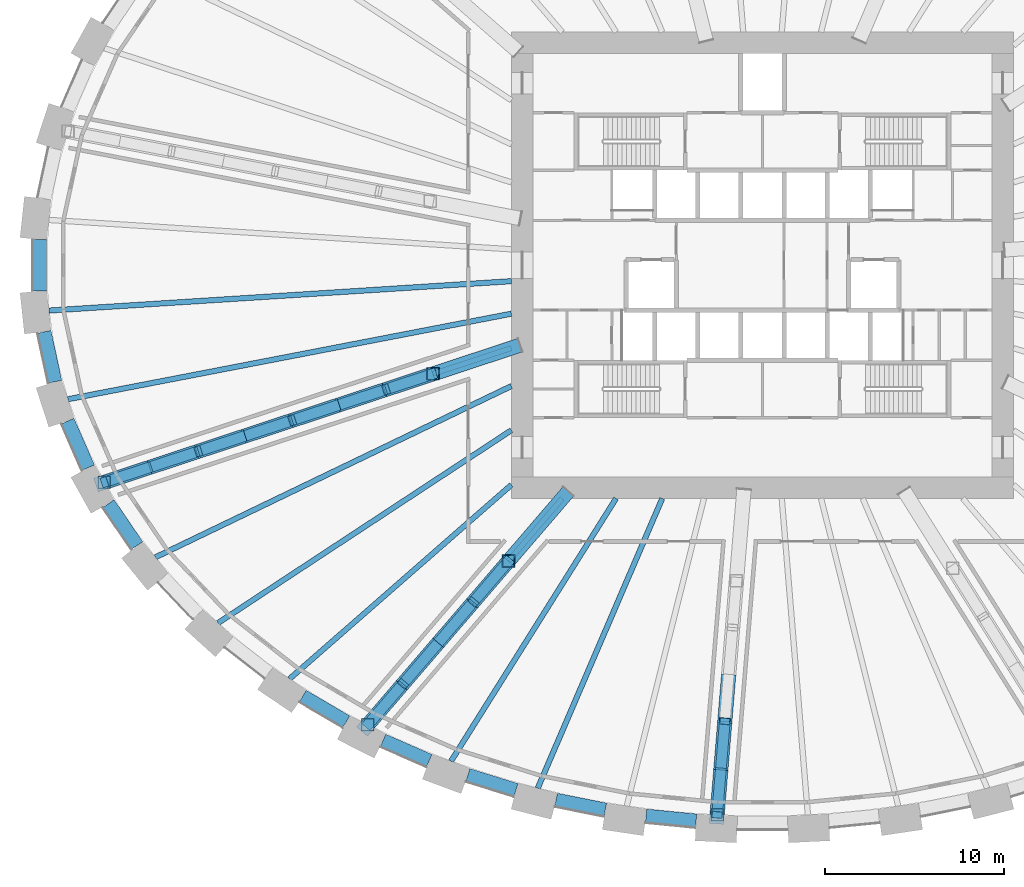
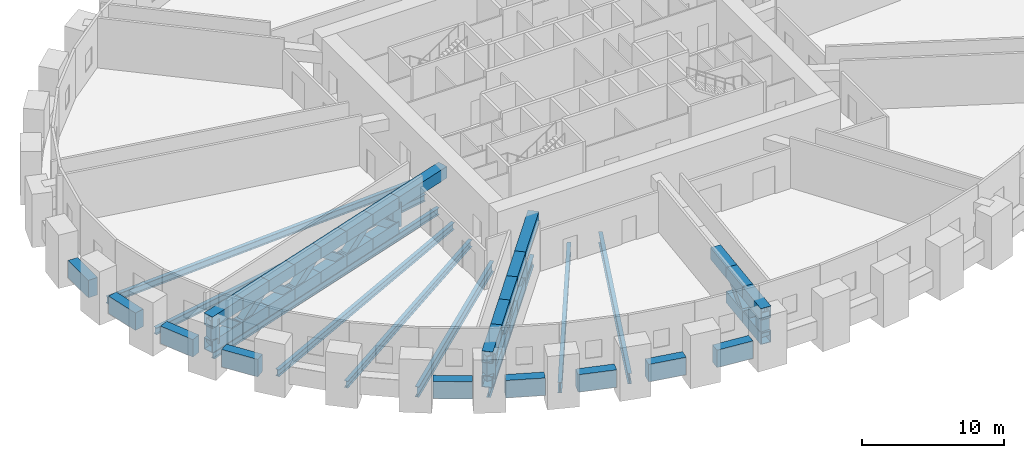
# One storey, part 2 of 14: 47 members, 18 beams.
"""IFC4 building model written with IfcOpenShell, lengths in metres."""

from ifc_helpers import new_model, si_unit, direction, frame, origin, origin_2d, place, context, subcontext, project, spatial, rectangle, hollow_rectangle, i_section, extrude, source, transform, mapped, material, material_profile, profile_set, type_object, element, save


model = new_model("IFC4")

# Units and contexts
model_context = context("Model", 3, precision=1e-05, world=origin(), true_north=direction((0.0, 1.0)))
body_context = subcontext(model_context, "Body", "Model", "MODEL_VIEW")
ifc_project = project(units=[si_unit("LENGTHUNIT", "METRE"), si_unit("AREAUNIT", "SQUARE_METRE"), si_unit("VOLUMEUNIT", "CUBIC_METRE"), si_unit("PLANEANGLEUNIT", "RADIAN"), si_unit("MASSUNIT", "GRAM", prefix="KILO")], contexts=[model_context])

# Site, building, storey
site_placement = place(None, origin())
site = spatial("IfcSite", under=ifc_project, at=site_placement, CompositionType="ELEMENT")
building_placement = place(site_placement, origin())
building = spatial("IfcBuilding", under=site, at=building_placement, Name="Embergate Tower", CompositionType="ELEMENT")
storey_placement = place(building_placement, frame((0.0, 0.0, 101.0)))
storey = spatial("IfcBuildingStorey", under=building, at=storey_placement, Name="L21", CompositionType="ELEMENT", Elevation=101.0)

# Beams
ifc_material_1 = material(Name="Concrete C70", Category="concrete")
ifc_material_profile_1 = material_profile(ifc_material_1, rectangle(XDim=0.75, YDim=1.5, at=origin_2d()), Name="RC 750x1500")
ifc_profile_set_1 = profile_set([ifc_material_profile_1], Name="Concrete C70")
beam_type_1 = type_object("IfcBeamType", Name="Spandrel beam RC 750x1500 C70", PredefinedType="BEAM", material=ifc_profile_set_1)
shared_shape_1 = source(origin(), body_context, "Body", "SweptSolid", [
    extrude(rectangle(XDim=0.75, YDim=1.5, at=origin_2d()), origin(), (0.0, 0.0, 1.0), 2.845703125),
])
beam_1_placement = place(storey_placement, frame((-40.032958984375, -3.7109375, 0.0), z_axis=(0.210448858384, -0.977604868035, 0.0), x_axis=(0.977604868035, 0.210448858384, 0.0)))
element("IfcBeam", 1, at=beam_1_placement, inside=storey, type_object=beam_type_1, Name="SPN-L21-22", PredefinedType="BEAM", context=body_context, shape_type="MappedRepresentation", body=[
    mapped(shared_shape_1, transform((0.0, 0.0, 0.0))),
])
shared_shape_2 = source(origin(), body_context, "Body", "SweptSolid", [
    extrude(rectangle(XDim=0.75, YDim=1.5, at=origin_2d()), origin(), (0.0, 0.0, 1.0), 2.84130859375),
])
beam_2_placement = place(storey_placement, frame((-38.72705078125, -8.680908203125, 0.0), z_axis=(0.401621037759, -0.915805952169, 0.0), x_axis=(0.915805952169, 0.401621037759, 0.0)))
element("IfcBeam", 2, at=beam_2_placement, inside=storey, type_object=beam_type_1, Name="SPN-L21-23", PredefinedType="BEAM", context=body_context, shape_type="MappedRepresentation", body=[
    mapped(shared_shape_2, transform((0.0, 0.0, 0.0))),
])
shared_shape_3 = source(origin(), body_context, "Body", "SweptSolid", [
    extrude(rectangle(XDim=0.75, YDim=1.5, at=origin_2d()), origin(), (0.0, 0.0, 1.0), 2.83203125),
])
beam_3_placement = place(storey_placement, frame((-36.455078125, -13.285888671875, 0.0), z_axis=(0.56217796331, -0.827016286157, 0.0), x_axis=(0.827016286157, 0.56217796331, 0.0)))
element("IfcBeam", 3, at=beam_3_placement, inside=storey, type_object=beam_type_1, Name="SPN-L21-24", PredefinedType="BEAM", context=body_context, shape_type="MappedRepresentation", body=[
    mapped(shared_shape_3, transform((0.0, 0.0, 0.0))),
])
shared_shape_4 = source(origin(), body_context, "Body", "SweptSolid", [
    extrude(rectangle(XDim=0.75, YDim=1.5, at=origin_2d()), origin(), (0.0, 0.0, 1.0), 2.813232421875),
])
beam_4_placement = place(storey_placement, frame((-25.6259765625, -24.01708984375, 0.0), z_axis=(0.862007825953, -0.506894967421, 0.0), x_axis=(0.506894967421, 0.862007825953, 0.0)))
element("IfcBeam", 4, at=beam_4_placement, inside=storey, type_object=beam_type_1, Name="SPN-L21-27", PredefinedType="BEAM", context=body_context, shape_type="MappedRepresentation", body=[
    mapped(shared_shape_4, transform((0.0, 0.0, 0.0))),
])
shared_shape_5 = source(origin(), body_context, "Body", "SweptSolid", [
    extrude(rectangle(XDim=0.75, YDim=1.5, at=origin_2d()), origin(), (0.0, 0.0, 1.0), 2.81005859375),
])
beam_5_placement = place(storey_placement, frame((-21.152099609375, -26.488037109375, 0.0), z_axis=(0.916061598474, -0.401037589013, 0.0), x_axis=(0.401037589013, 0.916061598474, 0.0)))
element("IfcBeam", 5, at=beam_5_placement, inside=storey, type_object=beam_type_1, Name="SPN-L21-28", PredefinedType="BEAM", context=body_context, shape_type="MappedRepresentation", body=[
    mapped(shared_shape_5, transform((0.0, 0.0, 0.0))),
])
shared_shape_6 = source(origin(), body_context, "Body", "SweptSolid", [
    extrude(rectangle(XDim=0.75, YDim=1.5, at=origin_2d()), origin(), (0.0, 0.0, 1.0), 2.806884765625),
])
beam_6_placement = place(storey_placement, frame((-16.423095703125, -28.41796875, 0.0), z_axis=(0.954841423743, -0.297115895746, 0.0), x_axis=(0.297115895746, 0.954841423743, 0.0)))
element("IfcBeam", 6, at=beam_6_placement, inside=storey, type_object=beam_type_1, Name="SPN-L21-29", PredefinedType="BEAM", context=body_context, shape_type="MappedRepresentation", body=[
    mapped(shared_shape_6, transform((0.0, 0.0, 0.0))),
])
shared_shape_7 = source(origin(), body_context, "Body", "SweptSolid", [
    extrude(rectangle(XDim=0.75, YDim=1.5, at=origin_2d()), origin(), (0.0, 0.0, 1.0), 2.802734375),
])
beam_7_placement = place(storey_placement, frame((-11.510009765625, -29.802001953125, 0.0), z_axis=(0.980483396855, -0.19660190358, 0.0), x_axis=(0.19660190358, 0.980483396855, 0.0)))
element("IfcBeam", 7, at=beam_7_placement, inside=storey, type_object=beam_type_1, Name="SPN-L21-30", PredefinedType="BEAM", context=body_context, shape_type="MappedRepresentation", body=[
    mapped(shared_shape_7, transform((0.0, 0.0, 0.0))),
])
shared_shape_8 = source(origin(), body_context, "Body", "SweptSolid", [
    extrude(rectangle(XDim=0.75, YDim=1.5, at=origin_2d()), origin(), (0.0, 0.0, 1.0), 2.801513671875),
])
beam_8_placement = place(storey_placement, frame((-6.487060546875, -30.69189453125, 0.0), z_axis=(0.995199776521, -0.097864216203, 0.0), x_axis=(0.097864216203, 0.995199776521, 0.0)))
element("IfcBeam", 8, at=beam_8_placement, inside=storey, type_object=beam_type_1, Name="SPN-L21-31", PredefinedType="BEAM", context=body_context, shape_type="MappedRepresentation", body=[
    mapped(shared_shape_8, transform((0.0, 0.0, 0.0))),
])
shared_shape_9 = source(origin(), body_context, "Body", "SweptSolid", [
    extrude(rectangle(XDim=0.75, YDim=1.5, at=origin_2d()), origin(), (0.0, 0.0, 1.0), 2.85205078125),
])
beam_9_placement = place(storey_placement, frame((-40.2958984375, 1.426025390625, 0.0), z_axis=(0.0, -1.0, 0.0), x_axis=(1.0, 0.0, 0.0)))
element("IfcBeam", 9, at=beam_9_placement, inside=storey, type_object=beam_type_1, Name="SPN-L21-21", PredefinedType="BEAM", context=body_context, shape_type="MappedRepresentation", body=[
    mapped(shared_shape_9, transform((0.0, 0.0, 0.0))),
])
ifc_material_2 = material(Name="Steel Q355B", Category="steel")
ifc_material_profile_2 = material_profile(ifc_material_2, i_section(OverallWidth=0.300048828125, OverallDepth=0.587890625, WebThickness=0.011962890625, FlangeThickness=0.02001953125, FilletRadius=0.012939453125, at=origin_2d()), Name="HM 588x300x12x20")
ifc_profile_set_2 = profile_set([ifc_material_profile_2], Name="Steel Q355 grade B")
beam_type_2 = type_object("IfcBeamType", Name="Plant girder HM 588x300x12x20", PredefinedType="BEAM", material=ifc_profile_set_2)
shared_shape_10 = source(origin(), body_context, "Body", "SweptSolid", [
    extrude(i_section(OverallWidth=0.300048828125, OverallDepth=0.587890625, WebThickness=0.011962890625, FlangeThickness=0.02001953125, FilletRadius=0.012939453125, at=origin_2d()), origin(), (0.0, 0.0, 1.0), 25.8330078125),
])
beam_10_placement = place(storey_placement, frame((-39.781005859375, -2.527099609375, -0.593994140625), z_axis=(0.997987282957, 0.063414375786, 0.0), x_axis=(-0.063414375786, 0.997987282957, 0.0)))
element("IfcBeam", 10, at=beam_10_placement, inside=storey, type_object=beam_type_2, Name="GIR-L21-22", PredefinedType="BEAM", context=body_context, shape_type="MappedRepresentation", body=[
    mapped(shared_shape_10, transform((0.0, 0.0, 0.0))),
])
shared_shape_11 = source(origin(), body_context, "Body", "SweptSolid", [
    extrude(i_section(OverallWidth=0.300048828125, OverallDepth=0.587890625, WebThickness=0.011962890625, FlangeThickness=0.02001953125, FilletRadius=0.012939453125, at=origin_2d()), origin(), (0.0, 0.0, 1.0), 25.173583984375),
])
beam_11_placement = place(storey_placement, frame((-38.718017578125, -7.468994140625, -0.593994140625), z_axis=(0.981898721565, 0.189406706822, 0.0), x_axis=(-0.189406706822, 0.981898721565, 0.0)))
element("IfcBeam", 11, at=beam_11_placement, inside=storey, type_object=beam_type_2, Name="GIR-L21-23", PredefinedType="BEAM", context=body_context, shape_type="MappedRepresentation", body=[
    mapped(shared_shape_11, transform((0.0, 0.0, 0.0))),
])
shared_shape_12 = source(origin(), body_context, "Body", "SweptSolid", [
    extrude(i_section(OverallWidth=0.300048828125, OverallDepth=0.587890625, WebThickness=0.011962890625, FlangeThickness=0.02001953125, FilletRadius=0.012939453125, at=origin_2d()), origin(), (0.0, 0.0, 1.0), 23.889892578125),
])
beam_12_placement = place(storey_placement, frame((-36.68798828125, -12.09912109375, -0.593994140625), z_axis=(0.949689151569, 0.313194053891, 0.0), x_axis=(-0.313194053891, 0.949689151569, 0.0)))
element("IfcBeam", 12, at=beam_12_placement, inside=storey, type_object=beam_type_2, Name="GIR-L21-24", PredefinedType="BEAM", context=body_context, shape_type="MappedRepresentation", body=[
    mapped(shared_shape_12, transform((0.0, 0.0, 0.0))),
])
shared_shape_13 = source(origin(), body_context, "Body", "SweptSolid", [
    extrude(i_section(OverallWidth=0.300048828125, OverallDepth=0.587890625, WebThickness=0.011962890625, FlangeThickness=0.02001953125, FilletRadius=0.012939453125, at=origin_2d()), origin(), (0.0, 0.0, 1.0), 22.02099609375),
])
beam_13_placement = place(storey_placement, frame((-33.843994140625, -16.281982421875, -0.593994140625), z_axis=(0.90113724632, 0.433533924042, 0.0), x_axis=(-0.433533924042, 0.90113724632, 0.0)))
element("IfcBeam", 13, at=beam_13_placement, inside=storey, type_object=beam_type_2, Name="GIR-L21-25", PredefinedType="BEAM", context=body_context, shape_type="MappedRepresentation", body=[
    mapped(shared_shape_13, transform((0.0, 0.0, 0.0))),
])
shared_shape_14 = source(origin(), body_context, "Body", "SweptSolid", [
    extrude(i_section(OverallWidth=0.300048828125, OverallDepth=0.587890625, WebThickness=0.011962890625, FlangeThickness=0.02001953125, FilletRadius=0.012939453125, at=origin_2d()), origin(), (0.0, 0.0, 1.0), 19.56591796875),
])
beam_14_placement = place(storey_placement, frame((-30.35205078125, -19.943115234375, -0.593994140625), z_axis=(0.835740492774, 0.549124602197, 0.0), x_axis=(-0.549124602197, 0.835740492774, 0.0)))
element("IfcBeam", 14, at=beam_14_placement, inside=storey, type_object=beam_type_2, Name="GIR-L21-26", PredefinedType="BEAM", context=body_context, shape_type="MappedRepresentation", body=[
    mapped(shared_shape_14, transform((0.0, 0.0, 0.0))),
])
ifc_material_profile_3 = material_profile(ifc_material_2, i_section(OverallWidth=0.300048828125, OverallDepth=0.89990234375, WebThickness=0.01611328125, FlangeThickness=0.028076171875, FilletRadius=0.028076171875, at=origin_2d()), Name="HN 900x300x16x28")
ifc_profile_set_3 = profile_set([ifc_material_profile_3], Name="Steel Q355 grade B")
beam_type_3 = type_object("IfcBeamType", Name="Plant girder HN 900x300x16x28", PredefinedType="BEAM", material=ifc_profile_set_3)
shared_shape_15 = source(origin(), body_context, "Body", "SweptSolid", [
    extrude(i_section(OverallWidth=0.300048828125, OverallDepth=0.89990234375, WebThickness=0.01611328125, FlangeThickness=0.028076171875, FilletRadius=0.028076171875, at=origin_2d()), origin(), (0.0, 0.0, 1.0), 16.42529296875),
])
beam_15_placement = place(storey_placement, frame((-26.364013671875, -23.055908203125, -0.75), z_axis=(0.752743328411, 0.658314120714, 0.0), x_axis=(-0.658314120714, 0.752743328411, 0.0)))
element("IfcBeam", 15, at=beam_15_placement, inside=storey, type_object=beam_type_3, Name="GIR-L21-27", PredefinedType="BEAM", context=body_context, shape_type="MappedRepresentation", body=[
    mapped(shared_shape_15, transform((0.0, 0.0, 0.0))),
])
shared_shape_16 = source(origin(), body_context, "Body", "SweptSolid", [
    extrude(i_section(OverallWidth=0.300048828125, OverallDepth=0.89990234375, WebThickness=0.01611328125, FlangeThickness=0.028076171875, FilletRadius=0.028076171875, at=origin_2d()), origin(), (0.0, 0.0, 1.0), 16.634521484375),
])
beam_16_placement = place(storey_placement, frame((-22.0009765625, -25.6201171875, -0.75), z_axis=(0.6514728043, 0.758671987922, 0.0), x_axis=(-0.758671987922, 0.6514728043, 0.0)))
element("IfcBeam", 16, at=beam_16_placement, inside=storey, type_object=beam_type_3, Name="GIR-L21-28", PredefinedType="BEAM", context=body_context, shape_type="MappedRepresentation", body=[
    mapped(shared_shape_16, transform((0.0, 0.0, 0.0))),
])
shared_shape_17 = source(origin(), body_context, "Body", "SweptSolid", [
    extrude(i_section(OverallWidth=0.300048828125, OverallDepth=0.89990234375, WebThickness=0.01611328125, FlangeThickness=0.028076171875, FilletRadius=0.028076171875, at=origin_2d()), origin(), (0.0, 0.0, 1.0), 17.29833984375),
])
beam_17_placement = place(storey_placement, frame((-17.364013671875, -27.64892578125, -0.75), z_axis=(0.53184228431, 0.84684342391, 0.0), x_axis=(-0.84684342391, 0.53184228431, 0.0)))
element("IfcBeam", 17, at=beam_17_placement, inside=storey, type_object=beam_type_3, Name="GIR-L21-29", PredefinedType="BEAM", context=body_context, shape_type="MappedRepresentation", body=[
    mapped(shared_shape_17, transform((0.0, 0.0, 0.0))),
])
shared_shape_18 = source(origin(), body_context, "Body", "SweptSolid", [
    extrude(i_section(OverallWidth=0.300048828125, OverallDepth=0.89990234375, WebThickness=0.01611328125, FlangeThickness=0.028076171875, FilletRadius=0.028076171875, at=origin_2d()), origin(), (0.0, 0.0, 1.0), 17.58203125),
])
beam_18_placement = place(storey_placement, frame((-12.531005859375, -29.153076171875, -0.75), z_axis=(0.394897783559, 0.918725062541, 0.0), x_axis=(-0.918725062541, 0.394897783559, 0.0)))
element("IfcBeam", 18, at=beam_18_placement, inside=storey, type_object=beam_type_3, Name="GIR-L21-30", PredefinedType="BEAM", context=body_context, shape_type="MappedRepresentation", body=[
    mapped(shared_shape_18, transform((0.0, 0.0, 0.0))),
])

# Members
ifc_material_profile_4 = material_profile(ifc_material_2, hollow_rectangle(XDim=0.699951171875, YDim=0.699951171875, WallThickness=0.031982421875, at=origin_2d()), Name="BOX 700x700x32")
ifc_profile_set_4 = profile_set([ifc_material_profile_4], Name="Steel Q355 grade B")
member_type_1 = type_object("IfcMemberType", Name="Outrigger post BOX 700x700x32", PredefinedType="POST", material=ifc_profile_set_4)
shared_shape_19 = source(origin(), body_context, "Body", "SweptSolid", [
    extrude(hollow_rectangle(XDim=0.699951171875, YDim=0.699951171875, WallThickness=0.031982421875, at=origin_2d()), origin(), (0.0, 0.0, 1.0), 2.110107421875),
])
for number, where, z_axis, x_axis, name in (
    (19, (-18.368896484375, -6.05810546875, 0.5), (0.0, 0.0, 1.0), (1.0, 0.0, 0.0), "OUT-L21-24-PO00"),
    (20, (-36.68798828125, -12.09912109375, 0.5), (0.0, 0.0, 1.0), (1.0, 0.0, 0.0), "OUT-L21-24-PO07"),
    (21, (-14.159912109375, -16.489990234375, 0.5), (0.0, 0.0, 1.0), (1.0, 0.0, 0.0), "OUT-L21-28-PO00"),
    (22, (-22.0009765625, -25.62109375, 0.5), (0.0, 0.0, 1.0), (1.0, 0.0, 0.0), "OUT-L21-28-PO04"),
    (23, (-2.531005859375, -30.64404296875, 0.5), (0.0, 0.0, 1.0), (1.0, 0.0, 0.0), "OUT-L21-32-PO05"),
):
    element("IfcMember", number, at=place(storey_placement, frame(where, z_axis=z_axis, x_axis=x_axis)), inside=storey, type_object=member_type_1, Name=name, PredefinedType="POST", context=body_context, shape_type="MappedRepresentation", body=[
        mapped(shared_shape_19, transform((0.0, 0.0, 0.0))),
    ])
ifc_material_profile_5 = material_profile(ifc_material_2, hollow_rectangle(XDim=0.800048828125, YDim=1.0, WallThickness=0.044921875, at=origin_2d()), Name="BOX 1000x800x45")
ifc_profile_set_5 = profile_set([ifc_material_profile_5], Name="Steel Q355 grade B")
member_type_2 = type_object("IfcMemberType", Name="Outrigger chord BOX 1000x800x45", PredefinedType="CHORD", material=ifc_profile_set_5)
shared_shape_20 = source(origin(), body_context, "Body", "SweptSolid", [
    extrude(hollow_rectangle(XDim=0.800048828125, YDim=1.0, WallThickness=0.044921875, at=origin_2d()), origin(), (0.0, 0.0, 1.0), 5.2001953125),
])
member_1_placement = place(storey_placement, frame((-10.8369140625, -12.62109375, 2.610107421875), z_axis=(-0.651556585598, -0.758600036755, 0.0), x_axis=(0.758600036755, -0.651556585598, 0.0)))
element("IfcMember", 24, at=member_1_placement, inside=storey, type_object=member_type_2, Name="OUT-L21-28-TC00", PredefinedType="CHORD", context=body_context, shape_type="MappedRepresentation", body=[
    mapped(shared_shape_20, transform((0.0, 0.0, 0.0))),
])
shared_shape_21 = source(origin(), body_context, "Body", "SweptSolid", [
    extrude(hollow_rectangle(XDim=0.800048828125, YDim=1.0, WallThickness=0.044921875, at=origin_2d()), origin(), (0.0, 0.0, 1.0), 5.200927734375),
])
member_2_placement = place(storey_placement, frame((-13.52490234375, -4.4599609375, 2.610107421875), z_axis=(-0.949673760514, -0.313240719881, 0.0), x_axis=(0.313240719881, -0.949673760514, 0.0)))
element("IfcMember", 25, at=member_2_placement, inside=storey, type_object=member_type_2, Name="OUT-L21-24-TC00", PredefinedType="CHORD", context=body_context, shape_type="MappedRepresentation", body=[
    mapped(shared_shape_21, transform((0.0, 0.0, 0.0))),
])
shared_shape_22 = source(origin(), body_context, "Body", "SweptSolid", [
    extrude(hollow_rectangle(XDim=0.800048828125, YDim=1.0, WallThickness=0.044921875, at=origin_2d()), origin(), (0.0, 0.0, 1.0), 2.855712890625),
])
for number, where, z_axis, x_axis, name in (
    (26, (-18.368896484375, -6.05810546875, 2.610107421875), (-0.949755020556, -0.312994250631, 0.0), (0.312994250631, -0.949755020556, 0.0), "OUT-L21-24-TC01"),
    (27, (-28.8369140625, -9.510009765625, 2.610107421875), (-0.949729603429, -0.313071366258, 0.0), (0.313071366258, -0.949729603429, 0.0), "OUT-L21-24-TC05"),
    (28, (-18.368896484375, -6.05810546875, 0.5), (-0.949755020556, -0.312994250631, 0.0), (0.312994250631, -0.949755020556, 0.0), "OUT-L21-24-BC00"),
    (29, (-28.8369140625, -9.510009765625, 0.5), (-0.949729603429, -0.313071366258, 0.0), (0.313071366258, -0.949729603429, 0.0), "OUT-L21-24-BC04"),
):
    element("IfcMember", number, at=place(storey_placement, frame(where, z_axis=z_axis, x_axis=x_axis)), inside=storey, type_object=member_type_2, Name=name, PredefinedType="CHORD", context=body_context, shape_type="MappedRepresentation", body=[
        mapped(shared_shape_22, transform((0.0, 0.0, 0.0))),
    ])
shared_shape_23 = source(origin(), body_context, "Body", "SweptSolid", [
    extrude(hollow_rectangle(XDim=0.800048828125, YDim=1.0, WallThickness=0.044921875, at=origin_2d()), origin(), (0.0, 0.0, 1.0), 2.85546875),
])
for number, where, z_axis, x_axis, name in (
    (30, (-20.986083984375, -6.9208984375, 2.610107421875), (-0.949721223032, -0.313096787787, 0.0), (0.313096787787, -0.949721223032, 0.0), "OUT-L21-24-TC02"),
    (31, (-23.60302734375, -7.783935546875, 2.610107421875), (-0.949721223032, -0.313096787787, 0.0), (0.313096787787, -0.949721223032, 0.0), "OUT-L21-24-TC03"),
    (32, (-26.219970703125, -8.64697265625, 2.610107421875), (-0.949721223032, -0.313096787787, 0.0), (0.313096787787, -0.949721223032, 0.0), "OUT-L21-24-TC04"),
    (33, (-31.4541015625, -10.373046875, 2.610107421875), (-0.949721223032, -0.313096787787, 0.0), (0.313096787787, -0.949721223032, 0.0), "OUT-L21-24-TC06"),
    (34, (-20.986083984375, -6.9208984375, 0.5), (-0.949721223032, -0.313096787787, 0.0), (0.313096787787, -0.949721223032, 0.0), "OUT-L21-24-BC01"),
    (35, (-23.60302734375, -7.783935546875, 0.5), (-0.949721223032, -0.313096787787, 0.0), (0.313096787787, -0.949721223032, 0.0), "OUT-L21-24-BC02"),
    (36, (-26.219970703125, -8.64697265625, 0.5), (-0.949721223032, -0.313096787787, 0.0), (0.313096787787, -0.949721223032, 0.0), "OUT-L21-24-BC03"),
    (37, (-31.4541015625, -10.373046875, 0.5), (-0.949721223032, -0.313096787787, 0.0), (0.313096787787, -0.949721223032, 0.0), "OUT-L21-24-BC05"),
):
    element("IfcMember", number, at=place(storey_placement, frame(where, z_axis=z_axis, x_axis=x_axis)), inside=storey, type_object=member_type_2, Name=name, PredefinedType="CHORD", context=body_context, shape_type="MappedRepresentation", body=[
        mapped(shared_shape_23, transform((0.0, 0.0, 0.0))),
    ])
shared_shape_24 = source(origin(), body_context, "Body", "SweptSolid", [
    extrude(hollow_rectangle(XDim=0.800048828125, YDim=1.0, WallThickness=0.044921875, at=origin_2d()), origin(), (0.0, 0.0, 1.0), 3.255859375),
])
for number, where, z_axis, x_axis, name in (
    (38, (-34.071044921875, -11.236083984375, 2.610107421875), (-0.949660999903, -0.313279404468, 0.0), (0.313279404468, -0.949660999903, 0.0), "OUT-L21-24-TC07"),
    (39, (-34.071044921875, -11.236083984375, 0.5), (-0.949660999903, -0.313279404468, 0.0), (0.313279404468, -0.949660999903, 0.0), "OUT-L21-24-BC06"),
):
    element("IfcMember", number, at=place(storey_placement, frame(where, z_axis=z_axis, x_axis=x_axis)), inside=storey, type_object=member_type_2, Name=name, PredefinedType="CHORD", context=body_context, shape_type="MappedRepresentation", body=[
        mapped(shared_shape_24, transform((0.0, 0.0, 0.0))),
    ])
ifc_material_profile_6 = material_profile(ifc_material_2, hollow_rectangle(XDim=0.60009765625, YDim=0.60009765625, WallThickness=0.028076171875, at=origin_2d()), Name="BOX 600x600x28")
ifc_profile_set_6 = profile_set([ifc_material_profile_6], Name="Steel Q355 grade B")
member_type_3 = type_object("IfcMemberType", Name="Outrigger diagonal BOX 600x600x28", PredefinedType="BRACE", material=ifc_profile_set_6)
shared_shape_25 = source(origin(), body_context, "Body", "SweptSolid", [
    extrude(hollow_rectangle(XDim=0.60009765625, YDim=0.60009765625, WallThickness=0.028076171875, at=origin_2d()), origin(), (0.0, 0.0, 1.0), 3.470947265625),
])
for number, where, z_axis, x_axis, name in (
    (40, (-18.368896484375, -6.05810546875, 0.5), (-0.754053141028, -0.248584309738, 0.607955344954), (0.313089824173, -0.949723518714, 0.0), "OUT-L21-24-DG00"),
    (41, (-28.8369140625, -9.510009765625, 0.5), (-0.754039954426, -0.248650302136, 0.607944713256), (0.31316973005, -0.949697172882, 0.0), "OUT-L21-24-DG04"),
):
    element("IfcMember", number, at=place(storey_placement, frame(where, z_axis=z_axis, x_axis=x_axis)), inside=storey, type_object=member_type_3, Name=name, PredefinedType="BRACE", context=body_context, shape_type="MappedRepresentation", body=[
        mapped(shared_shape_25, transform((0.0, 0.0, 0.0))),
    ])
shared_shape_26 = source(origin(), body_context, "Body", "SweptSolid", [
    extrude(hollow_rectangle(XDim=0.60009765625, YDim=0.60009765625, WallThickness=0.028076171875, at=origin_2d()), origin(), (0.0, 0.0, 1.0), 3.470703125),
])
for number, where, z_axis, x_axis, name in (
    (42, (-20.986083984375, -6.9208984375, 2.610107421875), (-0.754009605861, -0.248663490691, -0.607976958994), (0.313196080609, -0.949688483183, 0.0), "OUT-L21-24-DG01"),
    (43, (-23.60302734375, -7.783935546875, 0.5), (-0.754009605861, -0.248663490691, 0.607976958994), (0.313196080609, -0.949688483183, 0.0), "OUT-L21-24-DG02"),
    (44, (-26.219970703125, -8.64697265625, 2.610107421875), (-0.754009605861, -0.248663490691, -0.607976958994), (0.313196080609, -0.949688483183, 0.0), "OUT-L21-24-DG03"),
    (45, (-31.4541015625, -10.373046875, 2.610107421875), (-0.754009605861, -0.248663490691, -0.607976958994), (0.313196080609, -0.949688483183, 0.0), "OUT-L21-24-DG05"),
    (46, (-34.071044921875, -11.236083984375, 0.5), (-0.754009605861, -0.248663490691, 0.607976958994), (0.313196080609, -0.949688483183, 0.0), "OUT-L21-24-DG06"),
):
    element("IfcMember", number, at=place(storey_placement, frame(where, z_axis=z_axis, x_axis=x_axis)), inside=storey, type_object=member_type_3, Name=name, PredefinedType="BRACE", context=body_context, shape_type="MappedRepresentation", body=[
        mapped(shared_shape_26, transform((0.0, 0.0, 0.0))),
    ])
shared_shape_27 = source(origin(), body_context, "Body", "SweptSolid", [
    extrude(hollow_rectangle(XDim=0.800048828125, YDim=1.0, WallThickness=0.044921875, at=origin_2d()), origin(), (0.0, 0.0, 1.0), 3.109130859375),
])
for number, where, z_axis, x_axis, name in (
    (47, (-14.159912109375, -16.489990234375, 2.610107421875), (-0.651353793752, -0.758774166248, 0.0), (0.758774166248, -0.651353793752, 0.0), "OUT-L21-28-TC01"),
    (48, (-14.159912109375, -16.489990234375, 0.5), (-0.651353793752, -0.758774166248, 0.0), (0.758774166248, -0.651353793752, 0.0), "OUT-L21-28-BC00"),
):
    element("IfcMember", number, at=place(storey_placement, frame(where, z_axis=z_axis, x_axis=x_axis)), inside=storey, type_object=member_type_2, Name=name, PredefinedType="CHORD", context=body_context, shape_type="MappedRepresentation", body=[
        mapped(shared_shape_27, transform((0.0, 0.0, 0.0))),
    ])
shared_shape_28 = source(origin(), body_context, "Body", "SweptSolid", [
    extrude(hollow_rectangle(XDim=0.800048828125, YDim=1.0, WallThickness=0.044921875, at=origin_2d()), origin(), (0.0, 0.0, 1.0), 3.10888671875),
])
for number, where, z_axis, x_axis, name in (
    (49, (-16.1201171875, -18.77294921875, 2.610107421875), (-0.651644632924, -0.758524404605, 0.0), (0.758524404605, -0.651644632924, 0.0), "OUT-L21-28-TC02"),
    (50, (-16.1201171875, -18.77294921875, 0.5), (-0.651644632924, -0.758524404605, 0.0), (0.758524404605, -0.651644632924, 0.0), "OUT-L21-28-BC01"),
):
    element("IfcMember", number, at=place(storey_placement, frame(where, z_axis=z_axis, x_axis=x_axis)), inside=storey, type_object=member_type_2, Name=name, PredefinedType="CHORD", context=body_context, shape_type="MappedRepresentation", body=[
        mapped(shared_shape_28, transform((0.0, 0.0, 0.0))),
    ])
shared_shape_29 = source(origin(), body_context, "Body", "SweptSolid", [
    extrude(hollow_rectangle(XDim=0.800048828125, YDim=1.0, WallThickness=0.044921875, at=origin_2d()), origin(), (0.0, 0.0, 1.0), 3.109619140625),
])
for number, where, z_axis, x_axis, name in (
    (51, (-18.080078125, -21.054931640625, 2.610107421875), (-0.651489389768, -0.75865774564, 0.0), (0.75865774564, -0.651489389768, 0.0), "OUT-L21-28-TC03"),
    (52, (-18.080078125, -21.054931640625, 0.5), (-0.651489389768, -0.75865774564, 0.0), (0.75865774564, -0.651489389768, 0.0), "OUT-L21-28-BC02"),
):
    element("IfcMember", number, at=place(storey_placement, frame(where, z_axis=z_axis, x_axis=x_axis)), inside=storey, type_object=member_type_2, Name=name, PredefinedType="CHORD", context=body_context, shape_type="MappedRepresentation", body=[
        mapped(shared_shape_29, transform((0.0, 0.0, 0.0))),
    ])
shared_shape_30 = source(origin(), body_context, "Body", "SweptSolid", [
    extrude(hollow_rectangle(XDim=0.800048828125, YDim=1.0, WallThickness=0.044921875, at=origin_2d()), origin(), (0.0, 0.0, 1.0), 3.5087890625),
])
for number, where, z_axis, x_axis, name in (
    (53, (-20.041015625, -23.337890625, 2.610107421875), (-0.651461527047, -0.758681671571, 0.0), (0.758681671571, -0.651461527047, 0.0), "OUT-L21-28-TC04"),
    (54, (-20.041015625, -23.337890625, 0.5), (-0.651461527047, -0.758681671571, 0.0), (0.758681671571, -0.651461527047, 0.0), "OUT-L21-28-BC03"),
):
    element("IfcMember", number, at=place(storey_placement, frame(where, z_axis=z_axis, x_axis=x_axis)), inside=storey, type_object=member_type_2, Name=name, PredefinedType="CHORD", context=body_context, shape_type="MappedRepresentation", body=[
        mapped(shared_shape_30, transform((0.0, 0.0, 0.0))),
    ])
shared_shape_31 = source(origin(), body_context, "Body", "SweptSolid", [
    extrude(hollow_rectangle(XDim=0.60009765625, YDim=0.60009765625, WallThickness=0.028076171875, at=origin_2d()), origin(), (0.0, 0.0, 1.0), 3.675048828125),
])
member_3_placement = place(storey_placement, frame((-14.159912109375, -16.489990234375, 0.5), z_axis=(-0.53336477078, -0.621184950998, 0.574152660836), x_axis=(0.758700784194, -0.651439268131, 0.0)))
element("IfcMember", 55, at=member_3_placement, inside=storey, type_object=member_type_3, Name="OUT-L21-28-DG00", PredefinedType="BRACE", context=body_context, shape_type="MappedRepresentation", body=[
    mapped(shared_shape_31, transform((0.0, 0.0, 0.0))),
])
shared_shape_32 = source(origin(), body_context, "Body", "SweptSolid", [
    extrude(hollow_rectangle(XDim=0.60009765625, YDim=0.60009765625, WallThickness=0.028076171875, at=origin_2d()), origin(), (0.0, 0.0, 1.0), 3.67431640625),
])
member_4_placement = place(storey_placement, frame((-16.1201171875, -18.77294921875, 2.610107421875), z_axis=(-0.533405275218, -0.62104373536, -0.57426778696), x_axis=(0.758603120228, -0.651552995527, 0.0)))
element("IfcMember", 56, at=member_4_placement, inside=storey, type_object=member_type_3, Name="OUT-L21-28-DG01", PredefinedType="BRACE", context=body_context, shape_type="MappedRepresentation", body=[
    mapped(shared_shape_32, transform((0.0, 0.0, 0.0))),
])
shared_shape_33 = source(origin(), body_context, "Body", "SweptSolid", [
    extrude(hollow_rectangle(XDim=0.60009765625, YDim=0.60009765625, WallThickness=0.028076171875, at=origin_2d()), origin(), (0.0, 0.0, 1.0), 3.675537109375),
])
member_5_placement = place(storey_placement, frame((-18.080078125, -21.054931640625, 0.5), z_axis=(-0.533507343975, -0.621118921004, 0.574091630226), x_axis=(0.758580486854, -0.651579346638, 0.0)))
element("IfcMember", 57, at=member_5_placement, inside=storey, type_object=member_type_3, Name="OUT-L21-28-DG02", PredefinedType="BRACE", context=body_context, shape_type="MappedRepresentation", body=[
    mapped(shared_shape_33, transform((0.0, 0.0, 0.0))),
])
shared_shape_34 = source(origin(), body_context, "Body", "SweptSolid", [
    extrude(hollow_rectangle(XDim=0.60009765625, YDim=0.60009765625, WallThickness=0.028076171875, at=origin_2d()), origin(), (0.0, 0.0, 1.0), 3.67529296875),
])
member_6_placement = place(storey_placement, frame((-20.041015625, -23.337890625, 2.610107421875), z_axis=(-0.533295227469, -0.621247753773, -0.574149308796), x_axis=(0.758775311589, -0.65135245952, 0.0)))
element("IfcMember", 58, at=member_6_placement, inside=storey, type_object=member_type_3, Name="OUT-L21-28-DG03", PredefinedType="BRACE", context=body_context, shape_type="MappedRepresentation", body=[
    mapped(shared_shape_34, transform((0.0, 0.0, 0.0))),
])
shared_shape_35 = source(origin(), body_context, "Body", "SweptSolid", [
    extrude(hollow_rectangle(XDim=0.800048828125, YDim=1.0, WallThickness=0.044921875, at=origin_2d()), origin(), (0.0, 0.0, 1.0), 2.72119140625),
])
member_7_placement = place(storey_placement, frame((-1.884033203125, -22.80810546875, 2.610107421875), z_axis=(-0.082273244124, -0.996609809956, 0.0), x_axis=(0.996609809956, -0.082273244124, 0.0)))
element("IfcMember", 59, at=member_7_placement, inside=storey, type_object=member_type_2, Name="OUT-L21-32-TC03", PredefinedType="CHORD", context=body_context, shape_type="MappedRepresentation", body=[
    mapped(shared_shape_35, transform((0.0, 0.0, 0.0))),
])
shared_shape_36 = source(origin(), body_context, "Body", "SweptSolid", [
    extrude(hollow_rectangle(XDim=0.800048828125, YDim=1.0, WallThickness=0.044921875, at=origin_2d()), origin(), (0.0, 0.0, 1.0), 2.721435546875),
])
for number, where, z_axis, x_axis, name in (
    (60, (-2.10009765625, -25.419921875, 2.610107421875), (-0.082265888249, -0.996610417179, 0.0), (0.996610417179, -0.082265888249, 0.0), "OUT-L21-32-TC04"),
    (61, (-2.10009765625, -25.419921875, 0.5), (-0.082265888249, -0.996610417179, 0.0), (0.996610417179, -0.082265888249, 0.0), "OUT-L21-32-BC03"),
):
    element("IfcMember", number, at=place(storey_placement, frame(where, z_axis=z_axis, x_axis=x_axis)), inside=storey, type_object=member_type_2, Name=name, PredefinedType="CHORD", context=body_context, shape_type="MappedRepresentation", body=[
        mapped(shared_shape_36, transform((0.0, 0.0, 0.0))),
    ])
shared_shape_37 = source(origin(), body_context, "Body", "SweptSolid", [
    extrude(hollow_rectangle(XDim=0.800048828125, YDim=1.0, WallThickness=0.044921875, at=origin_2d()), origin(), (0.0, 0.0, 1.0), 3.12060546875),
])
for number, where, z_axis, x_axis, name in (
    (62, (-2.31494140625, -28.031982421875, 2.610107421875), (-0.082378598453, -0.996601107022, 0.0), (0.996601107022, -0.082378598453, 0.0), "OUT-L21-32-TC05"),
    (63, (-2.31494140625, -28.031982421875, 0.5), (-0.082378598453, -0.996601107022, 0.0), (0.996601107022, -0.082378598453, 0.0), "OUT-L21-32-BC04"),
):
    element("IfcMember", number, at=place(storey_placement, frame(where, z_axis=z_axis, x_axis=x_axis)), inside=storey, type_object=member_type_2, Name=name, PredefinedType="CHORD", context=body_context, shape_type="MappedRepresentation", body=[
        mapped(shared_shape_37, transform((0.0, 0.0, 0.0))),
    ])
shared_shape_38 = source(origin(), body_context, "Body", "SweptSolid", [
    extrude(hollow_rectangle(XDim=0.60009765625, YDim=0.60009765625, WallThickness=0.028076171875, at=origin_2d()), origin(), (0.0, 0.0, 1.0), 3.36474609375),
])
for number, where, z_axis, x_axis, name in (
    (64, (-2.10009765625, -25.419921875, 2.610107421875), (-0.063851244736, -0.776300531169, -0.627120804832), (0.996634479668, -0.081973861306, 0.0), "OUT-L21-32-DG03"),
    (65, (-2.31494140625, -28.031982421875, 0.5), (-0.064212544228, -0.776282497966, 0.627106237024), (0.996596322061, -0.08243646556, 0.0), "OUT-L21-32-DG04"),
):
    element("IfcMember", number, at=place(storey_placement, frame(where, z_axis=z_axis, x_axis=x_axis)), inside=storey, type_object=member_type_3, Name=name, PredefinedType="BRACE", context=body_context, shape_type="MappedRepresentation", body=[
        mapped(shared_shape_38, transform((0.0, 0.0, 0.0))),
    ])

save(model, "model.ifc")
